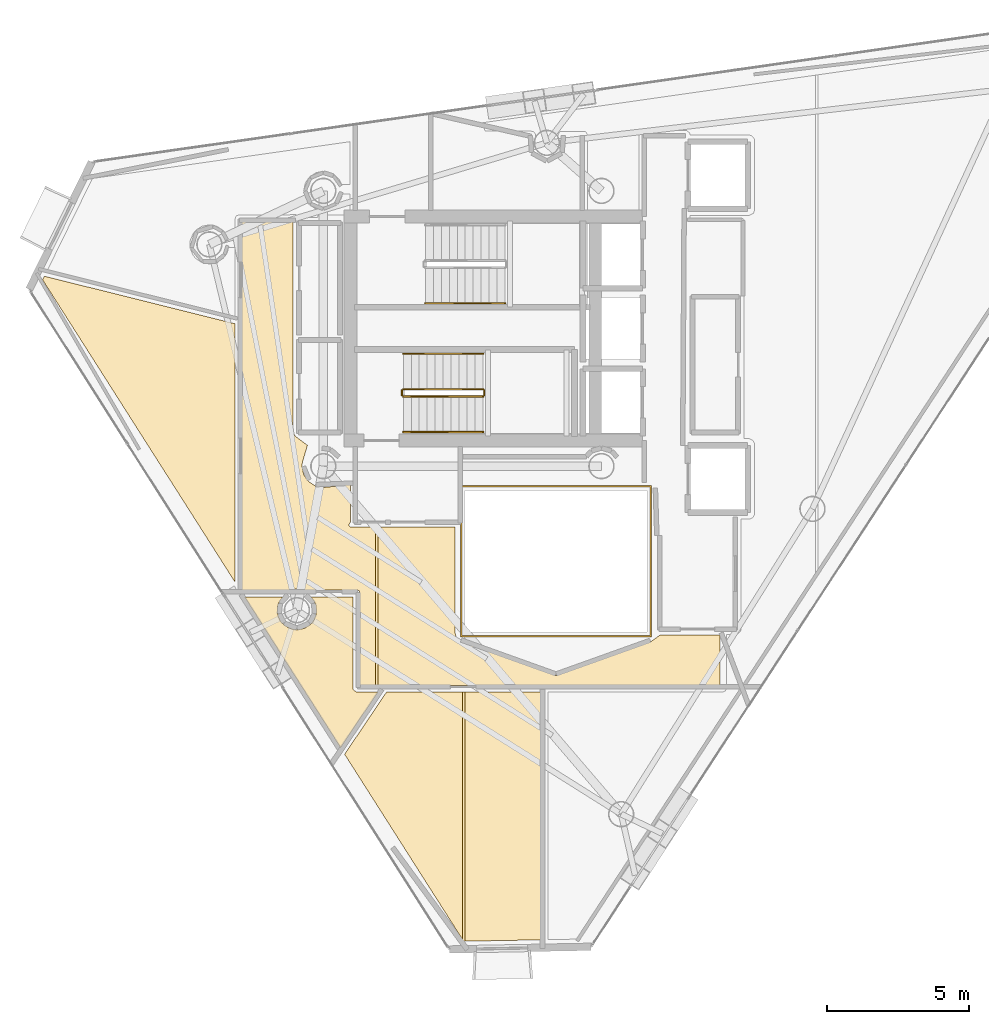
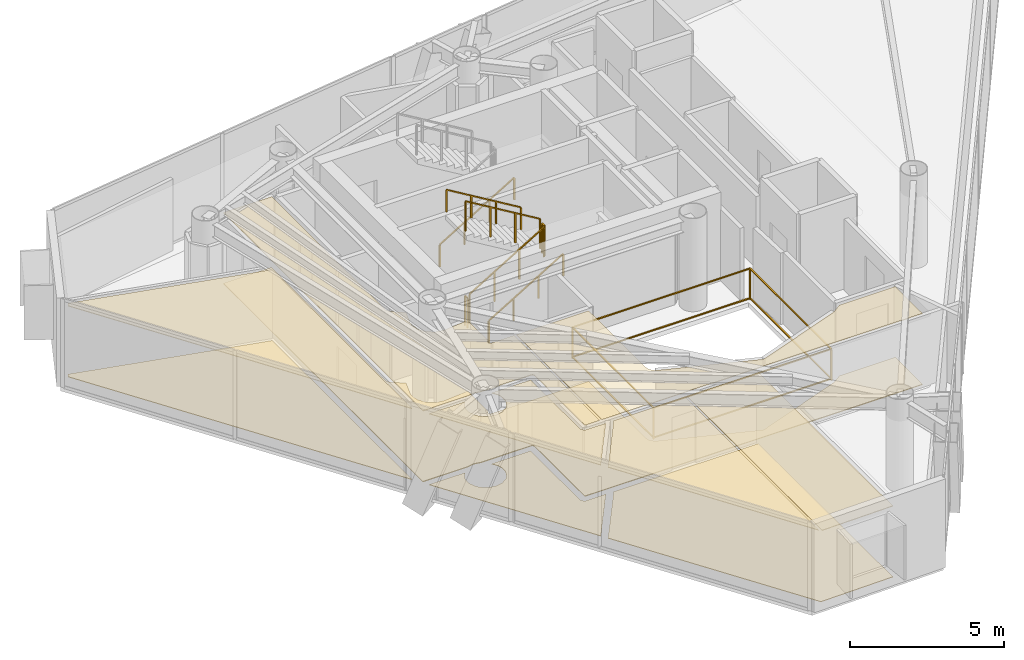
# One storey, part 23 of 25: 10 coverings, 8 railings.
"""IFC4 building model written with IfcOpenShell, lengths in metres."""

from ifc_helpers import new_model, si_unit, direction, frame, origin, origin_2d, place, context, subcontext, project, spatial, polyline, rectangle, outline, extrude, material, layer, layer_set, type_object, element, save


model = new_model("IFC4")

# Units and contexts
model_context = context("Model", 3, precision=1e-05, world=origin(), true_north=direction((0.0, 1.0)))
body_context = subcontext(model_context, "Body", "Model", "MODEL_VIEW")
ifc_project = project(units=[si_unit("LENGTHUNIT", "METRE"), si_unit("AREAUNIT", "SQUARE_METRE"), si_unit("VOLUMEUNIT", "CUBIC_METRE"), si_unit("PLANEANGLEUNIT", "RADIAN"), si_unit("MASSUNIT", "GRAM", prefix="KILO")], contexts=[model_context])

# Site, building, storey
site_placement = place(None, origin())
site = spatial("IfcSite", under=ifc_project, at=site_placement, CompositionType="ELEMENT")
building_placement = place(site_placement, origin())
building = spatial("IfcBuilding", under=site, at=building_placement, Name="Qianvela Tower", CompositionType="ELEMENT")
storey_placement = place(building_placement, frame((0.0, 0.0, 291.699951171875)))
storey = spatial("IfcBuildingStorey", under=building, at=storey_placement, Name="L75", CompositionType="ELEMENT", Elevation=291.699951171875)

# Coverings
ifc_material_1 = material(Name="Perforated Mineral Acoustic Ceiling Tile")
ifc_layer_1 = layer(ifc_material_1, 0.02490234375)
ifc_layer_set_1 = layer_set([ifc_layer_1], Name="Perforated Mineral Acoustic Ceiling Tile")
covering_type_1 = type_object("IfcCoveringType", Name="COV-CEIL-ACOUSTIC-25", PredefinedType="CEILING", material=ifc_layer_set_1)
covering_1_placement = place(storey_placement, frame((0.0, 0.0, 2.81494140625)))
element("IfcCovering", 1, at=covering_1_placement, inside=storey, type_object=covering_type_1, Name="L75 Acoustic Ceiling Bay 1 L75 Floor Corridor", PredefinedType="CEILING", context=body_context, shape_type="SweptSolid", body=[
    extrude(outline(polyline([(27.85009765625, 23.85009765625), (27.850341796875, 23.84228515625), (27.8515625, 23.83447265625), (27.902587890625, 23.577880859375), (27.904296875, 23.5703125), (27.906982421875, 23.56298828125), (27.910400390625, 23.555908203125), (27.91455078125, 23.54931640625), (28.059814453125, 23.331787109375), (28.064453125, 23.325439453125), (28.069580078125, 23.319580078125), (28.075439453125, 23.314453125), (28.081787109375, 23.309814453125), (28.29931640625, 23.16455078125), (28.305908203125, 23.160400390625), (28.31298828125, 23.156982421875), (28.3203125, 23.154296875), (28.327880859375, 23.152587890625), (28.58447265625, 23.1015625), (28.59228515625, 23.100341796875), (28.60009765625, 23.10009765625), (28.60791015625, 23.100341796875), (29.55810546875, 23.194091796875), (29.55810546875, 21.877685546875), (29.52001953125, 21.82958984375), (29.515380859375, 21.822998046875), (29.51171875, 21.81640625), (29.508544921875, 21.809326171875), (29.506103515625, 21.802001953125), (29.504150390625, 21.794189453125), (29.503173828125, 21.78662109375), (29.5029296875, 21.77880859375), (29.50341796875, 21.77099609375), (29.504638671875, 21.763427734375), (29.506591796875, 21.755859375), (29.50927734375, 21.74853515625), (29.5126953125, 21.74169921875), (29.516845703125, 21.735107421875), (29.521484375, 21.728759765625), (29.52685546875, 21.722900390625), (29.53271484375, 21.7177734375), (29.538818359375, 21.713134765625), (29.54541015625, 21.709228515625), (29.552490234375, 21.7060546875), (29.559814453125, 21.703369140625), (29.5673828125, 21.701416015625), (29.5751953125, 21.700439453125), (29.5830078125, 21.699951171875), (30.443115234375, 21.699951171875), (30.443115234375, 16.1298828125), (29.8798828125, 16.1298828125), (29.8798828125, 19.39990234375), (29.879638671875, 19.40771484375), (29.87841796875, 19.41552734375), (29.876708984375, 19.423095703125), (29.873779296875, 19.4306640625), (29.87060546875, 19.437744140625), (29.866455078125, 19.4443359375), (29.86181640625, 19.45068359375), (29.856689453125, 19.45654296875), (29.850830078125, 19.4619140625), (29.844482421875, 19.466552734375), (29.837646484375, 19.470703125), (29.83056640625, 19.473876953125), (29.8232421875, 19.4765625), (29.815673828125, 19.478515625), (29.807861328125, 19.4794921875), (29.800048828125, 19.47998046875), (27.910888671875, 19.47998046875), (27.684814453125, 19.522705078125), (27.677490234375, 19.523681640625), (27.669921875, 19.52392578125), (27.66259765625, 19.523681640625), (27.6552734375, 19.522705078125), (27.42919921875, 19.47998046875), (25.72998046875, 19.47998046875), (25.72998046875, 32.469970703125), (27.5400390625, 32.469970703125), (27.5400390625, 25.04638671875), (27.540283203125, 25.038818359375), (27.54150390625, 25.03125), (27.543212890625, 25.023681640625), (27.545654296875, 25.0166015625), (27.548828125, 25.009765625), (27.552734375, 25.003173828125), (27.61328125, 24.90869140625), (27.61767578125, 24.90283203125), (27.622314453125, 24.8974609375), (27.62744140625, 24.892333984375), (27.633056640625, 24.8876953125), (28.042236328125, 24.584228515625), (27.8662109375, 24.00390625), (27.864501953125, 23.996337890625), (27.86328125, 23.988525390625), (27.850341796875, 23.85791015625), (27.85009765625, 23.85009765625)])), origin(), (0.0, 0.0, 1.0), 0.025146484375),
])
covering_2_placement = place(storey_placement, frame((0.0, 0.0, 2.81494140625)))
element("IfcCovering", 2, at=covering_2_placement, inside=storey, type_object=covering_type_1, Name="L75 Acoustic Ceiling Bay 2 L75 Floor Corridor", PredefinedType="CEILING", context=body_context, shape_type="SweptSolid", body=[
    extrude(outline(polyline([(33.239990234375, 21.699951171875), (33.239990234375, 18.0), (33.240478515625, 17.990234375), (33.242431640625, 17.980712890625), (33.275390625, 17.8486328125), (33.277587890625, 17.841796875), (33.2802734375, 17.8349609375), (33.283447265625, 17.82861328125), (33.287353515625, 17.822509765625), (33.29150390625, 17.81689453125), (33.29638671875, 17.811279296875), (33.411376953125, 17.696533203125), (33.41796875, 17.690673828125), (33.42529296875, 17.685546875), (33.432861328125, 17.68115234375), (33.44091796875, 17.677734375), (36.77294921875, 16.482666015625), (36.780517578125, 16.48046875), (36.7880859375, 16.47900390625), (36.7958984375, 16.47802734375), (36.803955078125, 16.47802734375), (36.811767578125, 16.47900390625), (36.8193359375, 16.48046875), (36.826904296875, 16.482666015625), (40.134033203125, 17.666015625), (40.140869140625, 17.668701171875), (40.1474609375, 17.672119140625), (40.153564453125, 17.676025390625), (40.458740234375, 17.89306640625), (42.570068359375, 17.899658203125), (42.570068359375, 16.1298828125), (30.523193359375, 16.1298828125), (30.523193359375, 21.699951171875), (33.239990234375, 21.699951171875)])), origin(), (0.0, 0.0, 1.0), 0.025146484375),
])
covering_3_placement = place(storey_placement, frame((0.0, 0.0, 2.81494140625)))
element("IfcCovering", 3, at=covering_3_placement, inside=storey, type_object=covering_type_1, Name="L75 Acoustic Ceiling Shared Communal Kitchen L75-01", PredefinedType="CEILING", context=body_context, shape_type="SweptSolid", body=[
    extrude(outline(polyline([(27.16552734375, 19.239990234375), (27.039794921875, 19.052001953125), (27.035888671875, 19.045166015625), (27.032470703125, 19.0380859375), (27.02978515625, 19.03076171875), (26.9951171875, 18.916259765625), (26.993408203125, 18.90869140625), (26.9921875, 18.90087890625), (26.99169921875, 18.89306640625), (26.99169921875, 18.655029296875), (26.9921875, 18.647216796875), (26.993408203125, 18.639404296875), (26.9951171875, 18.6318359375), (26.997802734375, 18.62451171875), (27.0888671875, 18.404541015625), (27.09228515625, 18.3974609375), (27.09619140625, 18.390625), (27.10107421875, 18.384521484375), (27.1767578125, 18.2919921875), (27.18212890625, 18.2861328125), (27.18798828125, 18.28076171875), (27.194091796875, 18.276123046875), (27.39208984375, 18.143798828125), (27.39892578125, 18.139892578125), (27.406005859375, 18.136474609375), (27.413330078125, 18.1337890625), (27.4208984375, 18.132080078125), (27.654296875, 18.08544921875), (27.662109375, 18.08447265625), (27.669921875, 18.083984375), (27.677734375, 18.08447265625), (27.685546875, 18.08544921875), (27.9189453125, 18.132080078125), (27.9267578125, 18.1337890625), (27.93408203125, 18.136474609375), (27.941162109375, 18.139892578125), (27.947998046875, 18.143798828125), (28.145751953125, 18.276123046875), (28.152099609375, 18.28076171875), (28.157958984375, 18.2861328125), (28.1630859375, 18.2919921875), (28.239013671875, 18.384521484375), (28.24365234375, 18.390625), (28.247802734375, 18.3974609375), (28.251220703125, 18.404541015625), (28.34228515625, 18.62451171875), (28.3447265625, 18.6318359375), (28.3466796875, 18.639404296875), (28.347900390625, 18.647216796875), (28.348388671875, 18.655029296875), (28.348388671875, 18.89306640625), (28.347900390625, 18.90087890625), (28.3466796875, 18.90869140625), (28.3447265625, 18.916259765625), (28.31005859375, 19.03076171875), (28.3076171875, 19.0380859375), (28.30419921875, 19.045166015625), (28.300048828125, 19.052001953125), (28.17431640625, 19.239990234375), (29.64013671875, 19.239990234375), (29.643310546875, 16.026611328125), (29.643798828125, 16.018798828125), (29.64501953125, 16.010986328125), (29.64697265625, 16.00341796875), (29.649658203125, 15.99609375), (29.65283203125, 15.989013671875), (29.656982421875, 15.982421875), (29.66162109375, 15.97607421875), (29.6669921875, 15.97021484375), (29.672607421875, 15.96484375), (29.741455078125, 15.908447265625), (29.747802734375, 15.90380859375), (29.75439453125, 15.89990234375), (29.761474609375, 15.896484375), (29.768798828125, 15.893798828125), (29.776611328125, 15.891845703125), (29.7841796875, 15.890869140625), (29.7919921875, 15.890380859375), (30.53369140625, 15.89013671875), (29.20703125, 13.92333984375), (25.822509765625, 19.239990234375), (27.16552734375, 19.239990234375)])), origin(), (0.0, 0.0, 1.0), 0.025146484375),
])
covering_4_placement = place(storey_placement, frame((0.0, 0.0, 2.81494140625)))
element("IfcCovering", 4, at=covering_4_placement, inside=storey, type_object=covering_type_1, Name="L75 Acoustic Ceiling Bay 1 Student Tea Pantry L75-02", PredefinedType="CEILING", context=body_context, shape_type="SweptSolid", body=[
    extrude(outline(polyline([(33.506591796875, 15.891357421875), (33.506591796875, 7.169189453125), (29.35009765625, 13.698974609375), (30.827880859375, 15.889892578125), (33.506591796875, 15.891357421875)])), origin(), (0.0, 0.0, 1.0), 0.025146484375),
])
covering_5_placement = place(storey_placement, frame((0.0, 0.0, 2.81494140625)))
element("IfcCovering", 5, at=covering_5_placement, inside=storey, type_object=covering_type_1, Name="L75 Acoustic Ceiling Bay 2 Student Tea Pantry L75-02", PredefinedType="CEILING", context=body_context, shape_type="SweptSolid", body=[
    extrude(outline(polyline([(36.27880859375, 15.892822265625), (36.27880859375, 7.162109375), (33.586669921875, 7.11083984375), (33.586669921875, 15.891357421875), (36.27880859375, 15.892822265625)])), origin(), (0.0, 0.0, 1.0), 0.025146484375),
])
covering_6_placement = place(storey_placement, frame((0.0, 0.0, 2.81494140625)))
element("IfcCovering", 6, at=covering_6_placement, inside=storey, type_object=covering_type_1, Name="L75 Acoustic Ceiling Student Wellness Lounge L75-05", PredefinedType="CEILING", context=body_context, shape_type="SweptSolid", body=[
    extrude(outline(polyline([(25.489990234375, 28.86865234375), (25.489990234375, 19.762451171875), (18.711181640625, 30.411376953125), (18.775634765625, 30.542724609375), (25.489990234375, 28.86865234375)])), origin(), (0.0, 0.0, 1.0), 0.025146484375),
])
ifc_material_2 = material(Name="Engineered Acoustic Oak Timber Flooring", Category="wood")
ifc_layer_2 = layer(ifc_material_2, 0.02001953125)
ifc_layer_set_2 = layer_set([ifc_layer_2], Name="Engineered Acoustic Oak Timber Flooring")
covering_type_2 = type_object("IfcCoveringType", Name="COV-FLOOR-OAK-20", PredefinedType="FLOORING", material=ifc_layer_set_2)
covering_7_placement = place(storey_placement, origin())
element("IfcCovering", 7, at=covering_7_placement, inside=storey, type_object=covering_type_2, Name="L75 Finish Flooring Shared Communal Kitchen L75-01", PredefinedType="FLOORING", context=body_context, shape_type="SweptSolid", body=[
    extrude(outline(polyline([(27.16552734375, 19.239990234375), (27.039794921875, 19.052001953125), (27.035888671875, 19.045166015625), (27.032470703125, 19.0380859375), (27.02978515625, 19.03076171875), (26.9951171875, 18.916259765625), (26.993408203125, 18.90869140625), (26.9921875, 18.90087890625), (26.99169921875, 18.89306640625), (26.99169921875, 18.655029296875), (26.9921875, 18.647216796875), (26.993408203125, 18.639404296875), (26.9951171875, 18.6318359375), (26.997802734375, 18.62451171875), (27.0888671875, 18.404541015625), (27.09228515625, 18.3974609375), (27.09619140625, 18.390625), (27.10107421875, 18.384521484375), (27.1767578125, 18.2919921875), (27.18212890625, 18.2861328125), (27.18798828125, 18.28076171875), (27.194091796875, 18.276123046875), (27.39208984375, 18.143798828125), (27.39892578125, 18.139892578125), (27.406005859375, 18.136474609375), (27.413330078125, 18.1337890625), (27.4208984375, 18.132080078125), (27.654296875, 18.08544921875), (27.662109375, 18.08447265625), (27.669921875, 18.083984375), (27.677734375, 18.08447265625), (27.685546875, 18.08544921875), (27.9189453125, 18.132080078125), (27.9267578125, 18.1337890625), (27.93408203125, 18.136474609375), (27.941162109375, 18.139892578125), (27.947998046875, 18.143798828125), (28.145751953125, 18.276123046875), (28.152099609375, 18.28076171875), (28.157958984375, 18.2861328125), (28.1630859375, 18.2919921875), (28.239013671875, 18.384521484375), (28.24365234375, 18.390625), (28.247802734375, 18.3974609375), (28.251220703125, 18.404541015625), (28.34228515625, 18.62451171875), (28.3447265625, 18.6318359375), (28.3466796875, 18.639404296875), (28.347900390625, 18.647216796875), (28.348388671875, 18.655029296875), (28.348388671875, 18.89306640625), (28.347900390625, 18.90087890625), (28.3466796875, 18.90869140625), (28.3447265625, 18.916259765625), (28.31005859375, 19.03076171875), (28.3076171875, 19.0380859375), (28.30419921875, 19.045166015625), (28.300048828125, 19.052001953125), (28.17431640625, 19.239990234375), (29.64013671875, 19.239990234375), (29.643310546875, 16.026611328125), (29.643798828125, 16.018798828125), (29.64501953125, 16.010986328125), (29.64697265625, 16.00341796875), (29.649658203125, 15.99609375), (29.65283203125, 15.989013671875), (29.656982421875, 15.982421875), (29.66162109375, 15.97607421875), (29.6669921875, 15.97021484375), (29.672607421875, 15.96484375), (29.741455078125, 15.908447265625), (29.747802734375, 15.90380859375), (29.75439453125, 15.89990234375), (29.761474609375, 15.896484375), (29.768798828125, 15.893798828125), (29.776611328125, 15.891845703125), (29.7841796875, 15.890869140625), (29.7919921875, 15.890380859375), (30.53369140625, 15.89013671875), (29.20703125, 13.92333984375), (25.822509765625, 19.239990234375), (27.16552734375, 19.239990234375)])), origin(), (0.0, 0.0, 1.0), 0.02001953125),
])
covering_8_placement = place(storey_placement, origin())
element("IfcCovering", 8, at=covering_8_placement, inside=storey, type_object=covering_type_2, Name="L75 Finish Flooring Student Tea Pantry L75-02", PredefinedType="FLOORING", context=body_context, shape_type="SweptSolid", body=[
    extrude(outline(polyline([(30.827880859375, 15.889892578125), (36.27880859375, 15.892822265625), (36.27880859375, 7.162109375), (33.54443359375, 7.110107421875), (29.35009765625, 13.698974609375), (30.827880859375, 15.889892578125)])), origin(), (0.0, 0.0, 1.0), 0.02001953125),
])
covering_9_placement = place(storey_placement, origin())
element("IfcCovering", 9, at=covering_9_placement, inside=storey, type_object=covering_type_2, Name="L75 Finish Flooring Student Wellness Lounge L75-05", PredefinedType="FLOORING", context=body_context, shape_type="SweptSolid", body=[
    extrude(outline(polyline([(25.489990234375, 28.86865234375), (25.489990234375, 19.762451171875), (18.711181640625, 30.411376953125), (18.775634765625, 30.542724609375), (25.489990234375, 28.86865234375)])), origin(), (0.0, 0.0, 1.0), 0.02001953125),
])
ifc_material_3 = material(Name="Honed Stone Terrazzo Flooring", Category="masonry")
ifc_layer_3 = layer(ifc_material_3, 0.030029296875)
ifc_layer_set_3 = layer_set([ifc_layer_3], Name="Honed Stone Terrazzo Flooring")
covering_type_3 = type_object("IfcCoveringType", Name="COV-FLOOR-TERRAZZO-30", PredefinedType="FLOORING", material=ifc_layer_set_3)
covering_10_placement = place(storey_placement, origin())
element("IfcCovering", 10, at=covering_10_placement, inside=storey, type_object=covering_type_3, Name="L75 Finish Flooring L75 Floor Corridor", PredefinedType="FLOORING", context=body_context, shape_type="SweptSolid", body=[
    extrude(outline(polyline([(27.850341796875, 23.85791015625), (27.85009765625, 23.85009765625), (27.850341796875, 23.84228515625), (27.8515625, 23.83447265625), (27.902587890625, 23.577880859375), (27.904296875, 23.5703125), (27.906982421875, 23.56298828125), (27.910400390625, 23.555908203125), (27.91455078125, 23.54931640625), (28.059814453125, 23.331787109375), (28.064453125, 23.325439453125), (28.069580078125, 23.319580078125), (28.075439453125, 23.314453125), (28.081787109375, 23.309814453125), (28.29931640625, 23.16455078125), (28.305908203125, 23.160400390625), (28.31298828125, 23.156982421875), (28.3203125, 23.154296875), (28.327880859375, 23.152587890625), (28.58447265625, 23.1015625), (28.59228515625, 23.100341796875), (28.60009765625, 23.10009765625), (28.60791015625, 23.100341796875), (29.55810546875, 23.194091796875), (29.55810546875, 21.877685546875), (29.52001953125, 21.82958984375), (29.515380859375, 21.822998046875), (29.51171875, 21.81640625), (29.508544921875, 21.809326171875), (29.506103515625, 21.802001953125), (29.504150390625, 21.794189453125), (29.503173828125, 21.78662109375), (29.5029296875, 21.77880859375), (29.50341796875, 21.77099609375), (29.504638671875, 21.763427734375), (29.506591796875, 21.755859375), (29.50927734375, 21.74853515625), (29.5126953125, 21.74169921875), (29.516845703125, 21.735107421875), (29.521484375, 21.728759765625), (29.52685546875, 21.722900390625), (29.53271484375, 21.7177734375), (29.538818359375, 21.713134765625), (29.54541015625, 21.709228515625), (29.552490234375, 21.7060546875), (29.559814453125, 21.703369140625), (29.5673828125, 21.701416015625), (29.5751953125, 21.700439453125), (29.5830078125, 21.699951171875), (33.239990234375, 21.699951171875), (33.239990234375, 18.0), (33.240478515625, 17.990234375), (33.242431640625, 17.980712890625), (33.275390625, 17.8486328125), (33.277587890625, 17.841796875), (33.2802734375, 17.8349609375), (33.283447265625, 17.82861328125), (33.287353515625, 17.822509765625), (33.29150390625, 17.81689453125), (33.29638671875, 17.811279296875), (33.411376953125, 17.696533203125), (33.41796875, 17.690673828125), (33.42529296875, 17.685546875), (33.432861328125, 17.68115234375), (33.44091796875, 17.677734375), (36.77294921875, 16.482666015625), (36.780517578125, 16.48046875), (36.7880859375, 16.47900390625), (36.7958984375, 16.47802734375), (36.803955078125, 16.47802734375), (36.811767578125, 16.47900390625), (36.8193359375, 16.48046875), (36.826904296875, 16.482666015625), (40.134033203125, 17.666015625), (40.140869140625, 17.668701171875), (40.1474609375, 17.672119140625), (40.153564453125, 17.676025390625), (40.458740234375, 17.89306640625), (42.570068359375, 17.899658203125), (42.570068359375, 16.1298828125), (29.8798828125, 16.1298828125), (29.8798828125, 19.39990234375), (29.879638671875, 19.40771484375), (29.87841796875, 19.41552734375), (29.876708984375, 19.423095703125), (29.873779296875, 19.4306640625), (29.87060546875, 19.437744140625), (29.866455078125, 19.4443359375), (29.86181640625, 19.45068359375), (29.856689453125, 19.45654296875), (29.850830078125, 19.4619140625), (29.844482421875, 19.466552734375), (29.837646484375, 19.470703125), (29.83056640625, 19.473876953125), (29.8232421875, 19.4765625), (29.815673828125, 19.478515625), (29.807861328125, 19.4794921875), (29.800048828125, 19.47998046875), (27.910888671875, 19.47998046875), (27.684814453125, 19.522705078125), (27.677490234375, 19.523681640625), (27.669921875, 19.52392578125), (27.66259765625, 19.523681640625), (27.6552734375, 19.522705078125), (27.42919921875, 19.47998046875), (25.72998046875, 19.47998046875), (25.72998046875, 32.469970703125), (27.5400390625, 32.469970703125), (27.5400390625, 25.04638671875), (27.540283203125, 25.038818359375), (27.54150390625, 25.03125), (27.543212890625, 25.023681640625), (27.545654296875, 25.0166015625), (27.548828125, 25.009765625), (27.552734375, 25.003173828125), (27.61328125, 24.90869140625), (27.61767578125, 24.90283203125), (27.622314453125, 24.8974609375), (27.62744140625, 24.892333984375), (27.633056640625, 24.8876953125), (28.042236328125, 24.584228515625), (27.8662109375, 24.00390625), (27.864501953125, 23.996337890625), (27.86328125, 23.988525390625), (27.850341796875, 23.85791015625)])), origin(), (0.0, 0.0, 1.0), 0.030029296875),
])

# Railings
ifc_material_4 = material(Name="Laminated Safety Glass and Stainless Steel 316", Category="steel")
railing_type_1 = type_object("IfcRailingType", Name="RL-ATRIUM-GUARD-1250", PredefinedType="GUARDRAIL", material=ifc_material_4)
railing_1_placement = place(storey_placement, frame((33.4599609375, 17.860107421875, 0.0)))
element("IfcRailing", 11, at=railing_1_placement, inside=storey, type_object=railing_type_1, Name="L75 Atrium Edge Guardrail 1", PredefinedType="GUARDRAIL", context=body_context, shape_type="SweptSolid", body=[
    extrude(rectangle(XDim=0.050048828125, YDim=0.0400390625, at=origin_2d()), frame((0.0, 0.0, 1.22998046875), z_axis=(0.0, 1.0, 0.0), x_axis=(-1.0, 0.0, 0.0)), (0.0, 0.0, 1.0), 5.27978515625),
    extrude(rectangle(XDim=0.050048828125, YDim=0.0400390625, at=origin_2d()), frame((0.0, 0.0, 0.050048828125), z_axis=(0.0, 1.0, 0.0), x_axis=(-1.0, 0.0, 0.0)), (0.0, 0.0, 1.0), 5.27978515625),
    extrude(rectangle(XDim=0.050048828125, YDim=0.0400390625, at=origin_2d()), frame((0.0, 5.27978515625, 1.22998046875), z_axis=(1.0, 0.0, 0.0), x_axis=(0.0, 1.0, 0.0)), (0.0, 0.0, 1.0), 6.679931640625),
    extrude(rectangle(XDim=0.050048828125, YDim=0.0400390625, at=origin_2d()), frame((0.0, 5.27978515625, 0.050048828125), z_axis=(1.0, 0.0, 0.0), x_axis=(0.0, 1.0, 0.0)), (0.0, 0.0, 1.0), 6.679931640625),
    extrude(rectangle(XDim=0.050048828125, YDim=0.0400390625, at=origin_2d()), frame((6.679931640625, 5.27978515625, 1.22998046875), z_axis=(0.0, -1.0, 0.0), x_axis=(1.0, 0.0, 0.0)), (0.0, 0.0, 1.0), 5.27978515625),
    extrude(rectangle(XDim=0.050048828125, YDim=0.0400390625, at=origin_2d()), frame((6.679931640625, 5.27978515625, 0.050048828125), z_axis=(0.0, -1.0, 0.0), x_axis=(1.0, 0.0, 0.0)), (0.0, 0.0, 1.0), 5.27978515625),
    extrude(rectangle(XDim=0.050048828125, YDim=0.0400390625, at=origin_2d()), frame((6.679931640625, 0.0, 1.22998046875), z_axis=(-1.0, 0.0, 0.0), x_axis=(0.0, -1.0, 0.0)), (0.0, 0.0, 1.0), 6.679931640625),
    extrude(rectangle(XDim=0.050048828125, YDim=0.0400390625, at=origin_2d()), frame((6.679931640625, 0.0, 0.050048828125), z_axis=(-1.0, 0.0, 0.0), x_axis=(0.0, -1.0, 0.0)), (0.0, 0.0, 1.0), 6.679931640625),
    extrude(rectangle(XDim=0.050048828125, YDim=0.050048828125, at=origin_2d()), origin(), (0.0, 0.0, 1.0), 1.2099609375),
    extrude(rectangle(XDim=0.050048828125, YDim=0.050048828125, at=origin_2d()), frame((0.0, 5.27978515625, 0.0)), (0.0, 0.0, 1.0), 1.2099609375),
    extrude(rectangle(XDim=0.050048828125, YDim=0.050048828125, at=origin_2d()), frame((6.679931640625, 5.27978515625, 0.0)), (0.0, 0.0, 1.0), 1.2099609375),
    extrude(rectangle(XDim=0.050048828125, YDim=0.050048828125, at=origin_2d()), frame((6.679931640625, 0.0, 0.0)), (0.0, 0.0, 1.0), 1.2099609375),
])
ifc_material_5 = material(Name="Painted Tubular Steel Q355B", Category="steel")
railing_type_2 = type_object("IfcRailingType", Name="RL-STAIR-GUARD-1200", PredefinedType="GUARDRAIL", material=ifc_material_5)
railing_2_placement = place(storey_placement, frame((31.419921875, 26.300048828125, 0.168212890625)))
element("IfcRailing", 12, at=railing_2_placement, inside=storey, type_object=railing_type_2, Name="L75 ST-2 stair guard 1", PredefinedType="GUARDRAIL", context=body_context, shape_type="SweptSolid", body=[
    extrude(rectangle(XDim=0.050048828125, YDim=0.0400390625, at=origin_2d()), frame((0.0, 0.0, 1.179931640625), z_axis=(0.857242210791, 0.0, 0.514913383045), x_axis=(0.0, 1.0, 0.0)), (0.0, 0.0, 1.0), 3.266357421875),
    extrude(rectangle(XDim=0.050048828125, YDim=0.050048828125, at=origin_2d()), origin(), (0.0, 0.0, 1.0), 1.159912109375),
    extrude(rectangle(XDim=0.050048828125, YDim=0.050048828125, at=origin_2d()), frame((0.933349609375, 0.0, 0.560546875)), (0.0, 0.0, 1.0), 1.159912109375),
    extrude(rectangle(XDim=0.050048828125, YDim=0.050048828125, at=origin_2d()), frame((1.86669921875, 0.0, 1.121337890625)), (0.0, 0.0, 1.0), 1.159912109375),
    extrude(rectangle(XDim=0.050048828125, YDim=0.050048828125, at=origin_2d()), frame((2.800048828125, 0.0, 1.681884765625)), (0.0, 0.0, 1.0), 1.159912109375),
])
railing_3_placement = place(storey_placement, frame((34.27001953125, 26.35009765625, 1.85009765625)))
element("IfcRailing", 13, at=railing_3_placement, inside=storey, type_object=railing_type_2, Name="L75 ST-2 stair guard 2", PredefinedType="GUARDRAIL", context=body_context, shape_type="SweptSolid", body=[
    extrude(rectangle(XDim=0.050048828125, YDim=0.0400390625, at=origin_2d()), frame((0.0, 0.0, 1.179931640625), z_axis=(0.0, 1.0, 0.0), x_axis=(-1.0, 0.0, 0.0)), (0.0, 0.0, 1.0), 0.159912109375),
    extrude(rectangle(XDim=0.050048828125, YDim=0.050048828125, at=origin_2d()), origin(), (0.0, 0.0, 1.0), 1.159912109375),
    extrude(rectangle(XDim=0.050048828125, YDim=0.050048828125, at=origin_2d()), frame((0.0, 0.159912109375, 0.0)), (0.0, 0.0, 1.0), 1.159912109375),
])
railing_4_placement = place(storey_placement, frame((34.219970703125, 26.56005859375, 2.018310546875)))
element("IfcRailing", 14, at=railing_4_placement, inside=storey, type_object=railing_type_2, Name="L75 ST-2 stair guard 3", PredefinedType="GUARDRAIL", context=body_context, shape_type="SweptSolid", body=[
    extrude(rectangle(XDim=0.050048828125, YDim=0.0400390625, at=origin_2d()), frame((0.0, 0.0, 1.179931640625), z_axis=(-0.857275202839, 0.0, 0.514858452973), x_axis=(0.0, -1.0, 0.0)), (0.0, 0.0, 1.0), 3.26611328125),
    extrude(rectangle(XDim=0.050048828125, YDim=0.050048828125, at=origin_2d()), origin(), (0.0, 0.0, 1.0), 1.159912109375),
    extrude(rectangle(XDim=0.050048828125, YDim=0.050048828125, at=origin_2d()), frame((-0.933349609375, 0.0, 0.560546875)), (0.0, 0.0, 1.0), 1.159912109375),
    extrude(rectangle(XDim=0.050048828125, YDim=0.050048828125, at=origin_2d()), frame((-1.86669921875, 0.0, 1.12109375)), (0.0, 0.0, 1.0), 1.159912109375),
    extrude(rectangle(XDim=0.050048828125, YDim=0.050048828125, at=origin_2d()), frame((-2.800048828125, 0.0, 1.681640625)), (0.0, 0.0, 1.0), 1.159912109375),
])
railing_5_placement = place(storey_placement, frame((31.3701171875, 26.35009765625, 0.0)))
element("IfcRailing", 15, at=railing_5_placement, inside=storey, type_object=railing_type_2, Name="L75 ST-2 stair guard 4", PredefinedType="GUARDRAIL", context=body_context, shape_type="SweptSolid", body=[
    extrude(rectangle(XDim=0.050048828125, YDim=0.0400390625, at=origin_2d()), frame((0.0, 0.0, 1.179931640625), z_axis=(0.0, 1.0, 0.0), x_axis=(-1.0, 0.0, 0.0)), (0.0, 0.0, 1.0), 0.159912109375),
    extrude(rectangle(XDim=0.050048828125, YDim=0.050048828125, at=origin_2d()), origin(), (0.0, 0.0, 1.0), 1.159912109375),
    extrude(rectangle(XDim=0.050048828125, YDim=0.050048828125, at=origin_2d()), frame((0.0, 0.159912109375, 0.0)), (0.0, 0.0, 1.0), 1.159912109375),
])
ifc_material_6 = material(Name="Brushed Stainless Steel 304", Category="steel")
railing_type_3 = type_object("IfcRailingType", Name="RL-STAIR-HANDRAIL-900", PredefinedType="HANDRAIL", material=ifc_material_6)
for number, where, name in (
    (16, (32.199951171875, 29.590087890625, 0.168212890625), "L75 ST-1 stair handrail 1"),
    (17, (31.419921875, 25.050048828125, 0.168212890625), "L75 ST-2 stair handrail 1"),
):
    element("IfcRailing", number, at=place(storey_placement, frame(where)), inside=storey, type_object=railing_type_3, Name=name, PredefinedType="HANDRAIL", context=body_context, shape_type="SweptSolid", body=[
        extrude(rectangle(XDim=0.050048828125, YDim=0.0400390625, at=origin_2d()), frame((0.0, 0.0, 0.8798828125), z_axis=(0.857242210791, 0.0, 0.514913383045), x_axis=(0.0, 1.0, 0.0)), (0.0, 0.0, 1.0), 3.266357421875),
        extrude(rectangle(XDim=0.050048828125, YDim=0.050048828125, at=origin_2d()), origin(), (0.0, 0.0, 1.0), 0.85986328125),
        extrude(rectangle(XDim=0.050048828125, YDim=0.050048828125, at=origin_2d()), frame((0.933349609375, 0.0, 0.560546875)), (0.0, 0.0, 1.0), 0.85986328125),
        extrude(rectangle(XDim=0.050048828125, YDim=0.050048828125, at=origin_2d()), frame((1.86669921875, 0.0, 1.121337890625)), (0.0, 0.0, 1.0), 0.85986328125),
        extrude(rectangle(XDim=0.050048828125, YDim=0.050048828125, at=origin_2d()), frame((2.800048828125, 0.0, 1.681884765625)), (0.0, 0.0, 1.0), 0.85986328125),
    ])
railing_6_placement = place(storey_placement, frame((34.219970703125, 27.81005859375, 2.018310546875)))
element("IfcRailing", 18, at=railing_6_placement, inside=storey, type_object=railing_type_3, Name="L75 ST-2 stair handrail 2", PredefinedType="HANDRAIL", context=body_context, shape_type="SweptSolid", body=[
    extrude(rectangle(XDim=0.050048828125, YDim=0.0400390625, at=origin_2d()), frame((0.0, 0.0, 0.8798828125), z_axis=(-0.857275202839, 0.0, 0.514858452973), x_axis=(0.0, -1.0, 0.0)), (0.0, 0.0, 1.0), 3.26611328125),
    extrude(rectangle(XDim=0.050048828125, YDim=0.050048828125, at=origin_2d()), origin(), (0.0, 0.0, 1.0), 0.85986328125),
    extrude(rectangle(XDim=0.050048828125, YDim=0.050048828125, at=origin_2d()), frame((-0.933349609375, 0.0, 0.560546875)), (0.0, 0.0, 1.0), 0.85986328125),
    extrude(rectangle(XDim=0.050048828125, YDim=0.050048828125, at=origin_2d()), frame((-1.86669921875, 0.0, 1.12109375)), (0.0, 0.0, 1.0), 0.85986328125),
    extrude(rectangle(XDim=0.050048828125, YDim=0.050048828125, at=origin_2d()), frame((-2.800048828125, 0.0, 1.681640625)), (0.0, 0.0, 1.0), 0.85986328125),
])

save(model, "model.ifc")
